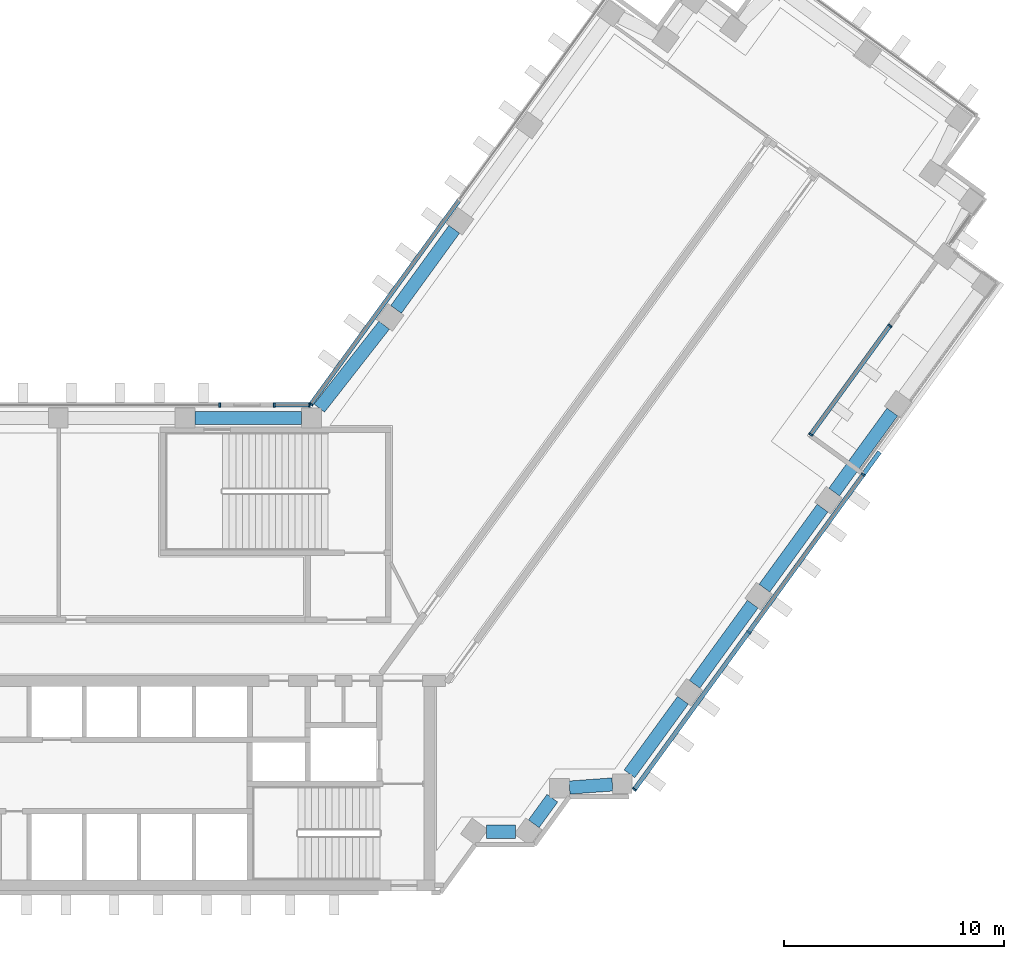
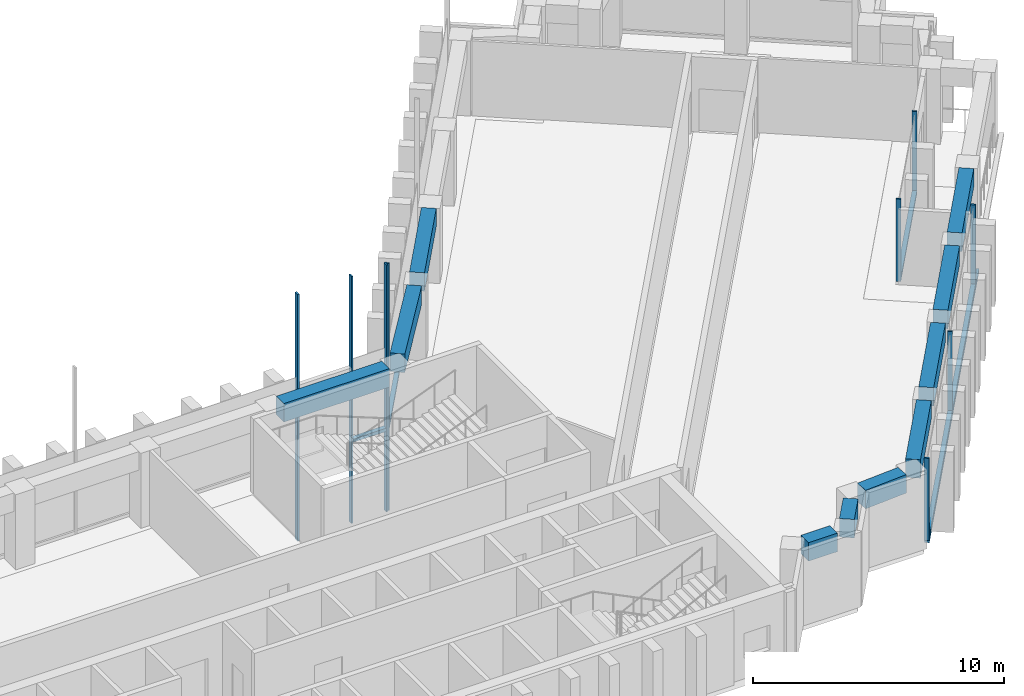
"""IFC4 building model written with IfcOpenShell, lengths in metres."""

from ifc_helpers import new_model, si_unit, direction, frame, origin, origin_2d, place, context, subcontext, project, spatial, rectangle, extrude, material, material_profile, profile_set, type_object, element, aggregate, save


model = new_model("IFC4")

# Units and contexts
model_context = context("Model", 3, precision=1e-05, world=origin(), true_north=direction((0.0, 1.0)))
body_context = subcontext(model_context, "Body", "Model", "MODEL_VIEW")
ifc_project = project(units=[si_unit("LENGTHUNIT", "METRE"), si_unit("AREAUNIT", "SQUARE_METRE"), si_unit("VOLUMEUNIT", "CUBIC_METRE"), si_unit("PLANEANGLEUNIT", "RADIAN"), si_unit("MASSUNIT", "GRAM", prefix="KILO")], contexts=[model_context])

# Site, building, storey
site_placement = place(None, origin())
site = spatial("IfcSite", under=ifc_project, at=site_placement, CompositionType="ELEMENT")
building_placement = place(site_placement, origin())
building = spatial("IfcBuilding", under=site, at=building_placement, Name="Quipu Civic Tower", CompositionType="ELEMENT")
storey_1_placement = place(building_placement, frame((0.0, 0.0, 89.0)))
storey_1 = spatial("IfcBuildingStorey", under=building, at=storey_1_placement, Name="L20", CompositionType="ELEMENT", Elevation=89.0)

# Curtain wall, members
ifc_material_1 = material(Name="Insulated glass unit", Category="glass")
curtain_wall_type = type_object("IfcCurtainWallType", Name="Office curtain wall CW1", PredefinedType="NOTDEFINED", material=ifc_material_1)
curtain_wall_1_placement = place(storey_1_placement, origin())
curtain_wall_1 = element("IfcCurtainWall", 1, at=curtain_wall_1_placement, inside=storey_1, type_object=curtain_wall_type, Name="Office curtain wall CW1 L20 run 1", PredefinedType="NOTDEFINED")
ifc_material_2 = material(Name="Anodised aluminium", Category="aluminium")
ifc_material_profile_1 = material_profile(ifc_material_2, rectangle(XDim=0.199951171875, YDim=0.080078125, at=origin_2d()), Name="RECT 200x80")
ifc_profile_set_1 = profile_set([ifc_material_profile_1], Name="Anodised aluminium")
member_type_1 = type_object("IfcMemberType", Name="Mullion CW1", PredefinedType="MULLION", material=ifc_profile_set_1)
member_1_placement = place(storey_1_placement, frame((29.079345703125, -6.3876953125, 0.080078125), z_axis=(0.0, 0.0, 1.0), x_axis=(-0.809016314155, 0.587786188533, 0.0)))
member_1 = element("IfcMember", 2, at=member_1_placement, type_object=member_type_1, Name="CW1 mullion 1", PredefinedType="MULLION", context=body_context, shape_type="SweptSolid", body=[
    extrude(rectangle(XDim=0.199951171875, YDim=0.080078125, at=origin_2d()), origin(), (0.0, 0.0, 1.0), 4.0),
])
member_2_placement = place(storey_1_placement, frame((34.27880859375, 0.7685546875, 0.080078125), z_axis=(0.0, 0.0, 1.0), x_axis=(-0.809016314155, 0.587786188533, 0.0)))
member_2 = element("IfcMember", 3, at=member_2_placement, type_object=member_type_1, Name="CW1 mullion 2", PredefinedType="MULLION", context=body_context, shape_type="SweptSolid", body=[
    extrude(rectangle(XDim=0.199951171875, YDim=0.080078125, at=origin_2d()), origin(), (0.0, 0.0, 1.0), 4.0),
])
member_3_placement = place(storey_1_placement, frame((39.47802734375, 7.924560546875, 0.080078125), z_axis=(0.0, 0.0, 1.0), x_axis=(-0.809016314155, 0.587786188533, 0.0)))
member_3 = element("IfcMember", 4, at=member_3_placement, type_object=member_type_1, Name="CW1 mullion 3", PredefinedType="MULLION", context=body_context, shape_type="SweptSolid", body=[
    extrude(rectangle(XDim=0.199951171875, YDim=0.080078125, at=origin_2d()), origin(), (0.0, 0.0, 1.0), 4.0),
])

curtain_wall_2_placement = place(storey_1_placement, origin())
curtain_wall_2 = element("IfcCurtainWall", 5, at=curtain_wall_2_placement, inside=storey_1, type_object=curtain_wall_type, Name="Office curtain wall CW1 L20 run 3", PredefinedType="NOTDEFINED")
member_4_placement = place(storey_1_placement, frame((37.097900390625, 9.752685546875, 0.080078125), z_axis=(0.0, 0.0, 1.0), x_axis=(-0.809013564951, 0.587789972461, 0.0)))
member_4 = element("IfcMember", 6, at=member_4_placement, type_object=member_type_1, Name="CW1 mullion 1", PredefinedType="MULLION", context=body_context, shape_type="SweptSolid", body=[
    extrude(rectangle(XDim=0.199951171875, YDim=0.080078125, at=origin_2d()), origin(), (0.0, 0.0, 1.0), 4.0),
])
member_5_placement = place(storey_1_placement, frame((40.695556640625, 14.704345703125, 0.080078125), z_axis=(0.0, 0.0, 1.0), x_axis=(-0.809013564951, 0.587789972461, 0.0)))
member_5 = element("IfcMember", 7, at=member_5_placement, type_object=member_type_1, Name="CW1 mullion 2", PredefinedType="MULLION", context=body_context, shape_type="SweptSolid", body=[
    extrude(rectangle(XDim=0.199951171875, YDim=0.080078125, at=origin_2d()), origin(), (0.0, 0.0, 1.0), 4.0),
])

# Curtain wall, member
curtain_wall_3_placement = place(storey_1_placement, origin())
curtain_wall_3 = element("IfcCurtainWall", 8, at=curtain_wall_3_placement, inside=storey_1, type_object=curtain_wall_type, Name="Office curtain wall CW1 L19 run 11", PredefinedType="NOTDEFINED")
member_6_placement = place(storey_1_placement, frame((14.36767578125, 11.13232421875, -3.919921875), z_axis=(0.0, 0.0, 1.0), x_axis=(0.809014469803, -0.587788727052, 0.0)))
member_6 = element("IfcMember", 9, at=member_6_placement, type_object=member_type_1, Name="CW1 mullion 3", PredefinedType="MULLION", context=body_context, shape_type="SweptSolid", body=[
    extrude(rectangle(XDim=0.199951171875, YDim=0.080078125, at=origin_2d()), origin(), (0.0, 0.0, 1.0), 12.0),
])

# Curtain wall, members
curtain_wall_4_placement = place(storey_1_placement, origin())
curtain_wall_4 = element("IfcCurtainWall", 10, at=curtain_wall_4_placement, inside=storey_1, type_object=curtain_wall_type, Name="Office curtain wall CW1 L19 run 12", PredefinedType="NOTDEFINED")
member_7_placement = place(storey_1_placement, frame((14.30419921875, 11.10009765625, -3.919921875), z_axis=(0.0, 0.0, 1.0), x_axis=(0.0, -1.0, 0.0)))
member_7 = element("IfcMember", 11, at=member_7_placement, type_object=member_type_1, Name="CW1 mullion 1", PredefinedType="MULLION", context=body_context, shape_type="SweptSolid", body=[
    extrude(rectangle(XDim=0.199951171875, YDim=0.080078125, at=origin_2d()), origin(), (0.0, 0.0, 1.0), 12.0),
])
member_8_placement = place(storey_1_placement, frame((12.695068359375, 11.10009765625, -3.919921875), z_axis=(0.0, 0.0, 1.0), x_axis=(0.0, -1.0, 0.0)))
member_8 = element("IfcMember", 12, at=member_8_placement, type_object=member_type_1, Name="CW1 mullion 2", PredefinedType="MULLION", context=body_context, shape_type="SweptSolid", body=[
    extrude(rectangle(XDim=0.199951171875, YDim=0.080078125, at=origin_2d()), origin(), (0.0, 0.0, 1.0), 12.0),
])

# Curtain wall, member
curtain_wall_5_placement = place(storey_1_placement, origin())
curtain_wall_5 = element("IfcCurtainWall", 13, at=curtain_wall_5_placement, inside=storey_1, type_object=curtain_wall_type, Name="Office curtain wall CW1 L19 run 14", PredefinedType="NOTDEFINED")
member_9_placement = place(storey_1_placement, frame((10.223388671875, 11.10009765625, -3.919921875), z_axis=(0.0, 0.0, 1.0), x_axis=(0.0, -1.0, 0.0)))
member_9 = element("IfcMember", 14, at=member_9_placement, type_object=member_type_1, Name="CW1 mullion 1", PredefinedType="MULLION", context=body_context, shape_type="SweptSolid", body=[
    extrude(rectangle(XDim=0.199951171875, YDim=0.080078125, at=origin_2d()), origin(), (0.0, 0.0, 1.0), 12.0),
])
aggregate(curtain_wall_5, [member_9])

# Beams
ifc_material_3 = material(Name="Concrete C50/60", Category="concrete")
ifc_material_profile_2 = material_profile(ifc_material_3, rectangle(XDim=0.60009765625, YDim=0.89990234375, at=origin_2d()), Name="RC600x900")
ifc_profile_set_2 = profile_set([ifc_material_profile_2], Name="Concrete C50/60")
beam_type = type_object("IfcBeamType", Name="Spandrel beam RC 600x900 C50/60", PredefinedType="SPANDREL", material=ifc_profile_set_2)
beam_1_placement = place(storey_1_placement, frame((22.34814453125, -8.31494140625, 3.199951171875), z_axis=(1.0, 0.0, 0.0), x_axis=(0.0, 1.0, 0.0)))
element("IfcBeam", 15, at=beam_1_placement, inside=storey_1, type_object=beam_type, Name="Spandrel beam L20 J-Eo.1 to J-Eo.2", PredefinedType="SPANDREL", context=body_context, shape_type="SweptSolid", body=[
    extrude(rectangle(XDim=0.60009765625, YDim=0.89990234375, at=origin_2d()), origin(), (0.0, 0.0, 1.0), 1.33056640625),
])
beam_2_placement = place(storey_1_placement, frame((24.499755859375, -7.951171875, 3.199951171875), z_axis=(0.588433824377, 0.808545381738, 0.0), x_axis=(-0.808545381738, 0.588433824377, 0.0)))
element("IfcBeam", 16, at=beam_2_placement, inside=storey_1, type_object=beam_type, Name="Spandrel beam L20 J-Eo.2 to J-Eo.3", PredefinedType="SPANDREL", context=body_context, shape_type="SweptSolid", body=[
    extrude(rectangle(XDim=0.60009765625, YDim=0.89990234375, at=origin_2d()), origin(), (0.0, 0.0, 1.0), 1.439697265625),
])
beam_3_placement = place(storey_1_placement, frame((26.12451171875, -6.304443359375, 3.199951171875), z_axis=(0.997365981169, 0.072533437859, 0.0), x_axis=(-0.072533437859, 0.997365981169, 0.0)))
element("IfcBeam", 17, at=beam_3_placement, inside=storey_1, type_object=beam_type, Name="Spandrel beam L20 J-Eo.3 to J-Eo.4", PredefinedType="SPANDREL", context=body_context, shape_type="SweptSolid", body=[
    extrude(rectangle(XDim=0.60009765625, YDim=0.89990234375, at=origin_2d()), origin(), (0.0, 0.0, 1.0), 1.95556640625),
])
beam_4_placement = place(storey_1_placement, frame((28.85205078125, -5.679931640625, 3.199951171875), z_axis=(0.587750565781, 0.809042194464, 0.0), x_axis=(-0.809042194464, 0.587750565781, 0.0)))
element("IfcBeam", 18, at=beam_4_placement, inside=storey_1, type_object=beam_type, Name="Spandrel beam L20 J-Eo.4 to E-OUT-01", PredefinedType="SPANDREL", context=body_context, shape_type="SweptSolid", body=[
    extrude(rectangle(XDim=0.60009765625, YDim=0.89990234375, at=origin_2d()), origin(), (0.0, 0.0, 1.0), 4.13720703125),
])
beam_5_placement = place(storey_1_placement, frame((31.812744140625, -1.604736328125, 3.199951171875), z_axis=(0.587778073121, 0.809022210299, 0.0), x_axis=(-0.809022210299, 0.587778073121, 0.0)))
element("IfcBeam", 19, at=beam_5_placement, inside=storey_1, type_object=beam_type, Name="Spandrel beam L20 E-OUT-01 to E-OUT-02", PredefinedType="SPANDREL", context=body_context, shape_type="SweptSolid", body=[
    extrude(rectangle(XDim=0.60009765625, YDim=0.89990234375, at=origin_2d()), origin(), (0.0, 0.0, 1.0), 4.5),
])
beam_6_placement = place(storey_1_placement, frame((34.98681640625, 2.76416015625, 3.199951171875), z_axis=(0.587803872688, 0.809003465539, 0.0), x_axis=(-0.809003465539, 0.587803872688, 0.0)))
element("IfcBeam", 20, at=beam_6_placement, inside=storey_1, type_object=beam_type, Name="Spandrel beam L20 E-OUT-02 to E-OUT-03", PredefinedType="SPANDREL", context=body_context, shape_type="SweptSolid", body=[
    extrude(rectangle(XDim=0.60009765625, YDim=0.89990234375, at=origin_2d()), origin(), (0.0, 0.0, 1.0), 4.499755859375),
])
for number, where, z_axis, x_axis, name in (
    (21, (38.160888671875, 7.1328125, 3.199951171875), (0.587778073121, 0.809022210299, 0.0), (-0.809022210299, 0.587778073121, 0.0), "Spandrel beam L20 E-OUT-03 to E-OUT-04"),
    (22, (20.8828125, 19.079833984375, 3.199951171875), (-0.587716763865, -0.809066749701, 0.0), (0.809066749701, -0.587716763865, 0.0), "Spandrel beam L20 E-IN-02 to E-IN-01"),
):
    element("IfcBeam", number, at=place(storey_1_placement, frame(where, z_axis=z_axis, x_axis=x_axis)), inside=storey_1, type_object=beam_type, Name=name, PredefinedType="SPANDREL", context=body_context, shape_type="SweptSolid", body=[
        extrude(rectangle(XDim=0.60009765625, YDim=0.89990234375, at=origin_2d()), origin(), (0.0, 0.0, 1.0), 4.5),
    ])
beam_7_placement = place(storey_1_placement, frame((17.6962890625, 14.72021484375, 3.199951171875), z_axis=(-0.616123961998, -0.787649200756, 0.0), x_axis=(0.787649200756, -0.616123961998, 0.0)))
element("IfcBeam", 23, at=beam_7_placement, inside=storey_1, type_object=beam_type, Name="Spandrel beam L20 E-IN-01 to J-Ei.0", PredefinedType="SPANDREL", context=body_context, shape_type="SweptSolid", body=[
    extrude(rectangle(XDim=0.60009765625, YDim=0.89990234375, at=origin_2d()), origin(), (0.0, 0.0, 1.0), 4.78662109375),
])
beam_8_placement = place(storey_1_placement, frame((13.9453125, 10.5, 3.199951171875), z_axis=(-1.0, 0.0, 0.0), x_axis=(0.0, -1.0, 0.0)))
element("IfcBeam", 24, at=beam_8_placement, inside=storey_1, type_object=beam_type, Name="Spandrel beam L20 J-Ei.0 to FRONT-01", PredefinedType="SPANDREL", context=body_context, shape_type="SweptSolid", body=[
    extrude(rectangle(XDim=0.60009765625, YDim=0.89990234375, at=origin_2d()), origin(), (0.0, 0.0, 1.0), 4.858154296875),
])

# Storey
storey_2_placement = place(building_placement, frame((0.0, 0.0, 85.0)))
storey_2 = spatial("IfcBuildingStorey", under=building, at=storey_2_placement, Name="L19", CompositionType="ELEMENT", Elevation=85.0)

# Curtain wall, members
curtain_wall_6_placement = place(storey_2_placement, origin())
curtain_wall_6 = element("IfcCurtainWall", 25, at=curtain_wall_6_placement, inside=storey_2, type_object=curtain_wall_type, Name="Office curtain wall CW1 L19 run 1", PredefinedType="NOTDEFINED")
ifc_material_4 = material(Name="Anodised aluminium", Category="aluminium")
ifc_material_profile_3 = material_profile(ifc_material_4, rectangle(XDim=0.199951171875, YDim=0.159912109375, at=origin_2d()), Name="RECT 200x160")
ifc_profile_set_3 = profile_set([ifc_material_profile_3], Name="Anodised aluminium")
member_type_2 = type_object("IfcMemberType", Name="Transom CW1", PredefinedType="USERDEFINED", material=ifc_profile_set_3)
member_10_placement = place(storey_1_placement, frame((29.10302734375, -6.35546875, 0.0), z_axis=(0.58777644589, 0.809023392528, 0.0), x_axis=(-0.809023392528, 0.58777644589, 0.0)))
member_10 = element("IfcMember", 26, at=member_10_placement, inside=storey_1, type_object=member_type_2, Name="CW1 transom 1.2", ObjectType="TRANSOM", PredefinedType="USERDEFINED", context=body_context, shape_type="SweptSolid", body=[
    extrude(rectangle(XDim=0.199951171875, YDim=0.159912109375, at=origin_2d()), origin(), (0.0, 0.0, 1.0), 9.40380859375),
])
member_11_placement = place(storey_1_placement, frame((34.67724609375, 1.317138671875, 0.0), z_axis=(0.587790407593, 0.809013248805, 0.0), x_axis=(-0.809013248805, 0.587790407593, 0.0)))
member_11 = element("IfcMember", 27, at=member_11_placement, inside=storey_1, type_object=member_type_2, Name="CW1 transom 2.2", ObjectType="TRANSOM", PredefinedType="USERDEFINED", context=body_context, shape_type="SweptSolid", body=[
    extrude(rectangle(XDim=0.199951171875, YDim=0.159912109375, at=origin_2d()), origin(), (0.0, 0.0, 1.0), 9.443359375),
])
aggregate(curtain_wall_6, [member_10, member_11])

# Member
member_12_placement = place(storey_1_placement, frame((29.10302734375, -6.35546875, 0.159912109375), z_axis=(0.587769195316, 0.809028660207, 0.0), x_axis=(-0.809028660207, 0.587769195316, 0.0)))
member_12 = element("IfcMember", 28, at=member_12_placement, type_object=member_type_2, Name="CW1 transom 1.1", ObjectType="TRANSOM", PredefinedType="USERDEFINED", context=body_context, shape_type="SweptSolid", body=[
    extrude(rectangle(XDim=0.199951171875, YDim=0.159912109375, at=origin_2d()), origin(), (0.0, 0.0, 1.0), 8.765625),
])

member_13_placement = place(storey_1_placement, frame((34.30224609375, 0.80078125, 0.159912109375), z_axis=(0.587787425027, 0.809015415786, 0.0), x_axis=(-0.809015415786, 0.587787425027, 0.0)))
member_13 = element("IfcMember", 29, at=member_13_placement, type_object=member_type_2, Name="CW1 transom 2.1", ObjectType="TRANSOM", PredefinedType="USERDEFINED", context=body_context, shape_type="SweptSolid", body=[
    extrude(rectangle(XDim=0.199951171875, YDim=0.159912109375, at=origin_2d()), origin(), (0.0, 0.0, 1.0), 8.765625),
])

aggregate(curtain_wall_1, [member_1, member_2, member_3, member_12, member_13])

member_14_placement = place(storey_1_placement, frame((37.121337890625, 9.784912109375, 0.159912109375), z_axis=(0.587779914498, 0.809020872482, 0.0), x_axis=(-0.809020872482, 0.587779914498, 0.0)))
member_14 = element("IfcMember", 30, at=member_14_placement, type_object=member_type_2, Name="CW1 transom 1.1", ObjectType="TRANSOM", PredefinedType="USERDEFINED", context=body_context, shape_type="SweptSolid", body=[
    extrude(rectangle(XDim=0.199951171875, YDim=0.159912109375, at=origin_2d()), origin(), (0.0, 0.0, 1.0), 6.04052734375),
])

aggregate(curtain_wall_2, [member_4, member_5, member_14])

member_15_placement = place(storey_1_placement, frame((21.09326171875, 20.38916015625, 0.080078125), z_axis=(-0.587799878401, -0.809006367683, 0.0), x_axis=(0.809006367683, -0.587799878401, 0.0)))
member_15 = element("IfcMember", 31, at=member_15_placement, type_object=member_type_2, Name="CW1 transom 2.2", ObjectType="TRANSOM", PredefinedType="USERDEFINED", context=body_context, shape_type="SweptSolid", body=[
    extrude(rectangle(XDim=0.199951171875, YDim=0.159912109375, at=origin_2d()), origin(), (0.0, 0.0, 1.0), 11.402099609375),
])

aggregate(curtain_wall_3, [member_6, member_15])

member_16_placement = place(storey_1_placement, frame((14.26416015625, 11.10009765625, 0.080078125), z_axis=(-1.0, 0.0, 0.0), x_axis=(0.0, -1.0, 0.0)))
member_16 = element("IfcMember", 32, at=member_16_placement, type_object=member_type_2, Name="CW1 transom 1.2", ObjectType="TRANSOM", PredefinedType="USERDEFINED", context=body_context, shape_type="SweptSolid", body=[
    extrude(rectangle(XDim=0.199951171875, YDim=0.159912109375, at=origin_2d()), origin(), (0.0, 0.0, 1.0), 1.529052734375),
])

aggregate(curtain_wall_4, [member_7, member_8, member_16])

save(model, "model.ifc")
